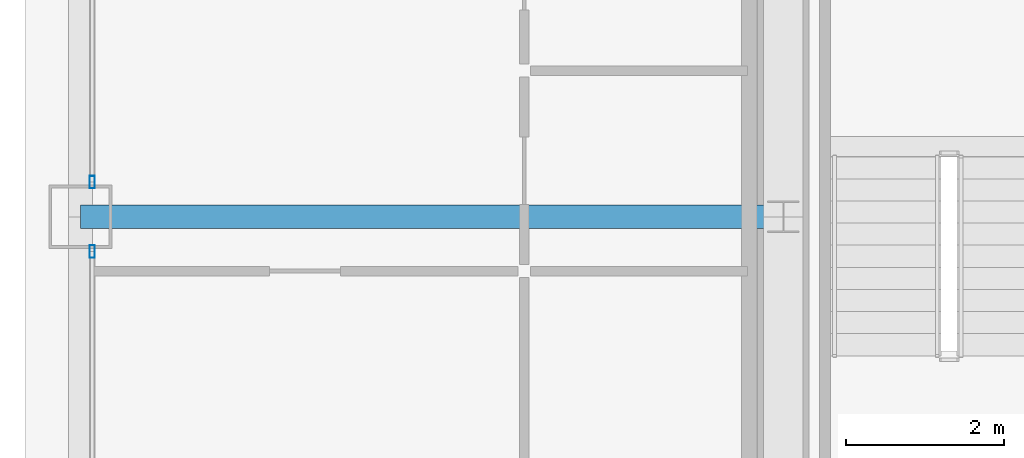
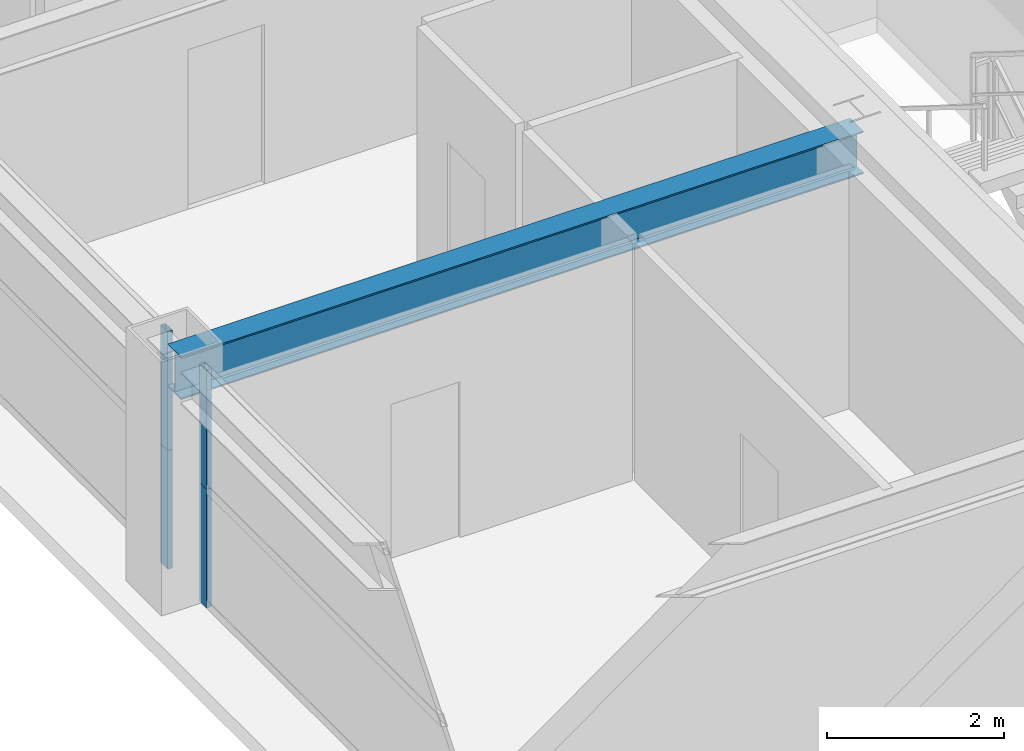
# One storey, part 13 of 42: 4 members, 1 beam, 2 elements without a shape of their own.
"""IFC4 building model written with IfcOpenShell, lengths in metres."""

import ifcopenshell
import ifcopenshell.guid

model = None  # the IFC model being written
_history = None  # IfcOwnerHistory: only IFC2X3 demands one
_inside = {}  # id of a spatial element -> (the spatial element, [elements in it])
_under = {}  # id of a project, library or spatial element -> (it, [spatial elements below it])
_declared = {}  # id of a project -> (the project, [libraries it declares])
_typed = {}  # id of a type object -> (the type object, [elements of that type])
_made_of = {}  # id of a material, layer set ... -> (it, [elements and type objects made of it])


def new_model(schema):
    """Start an empty IFC model of exactly this schema.

    Asked for "IFC4X3", IfcOpenShell would pick the latest addendum, in which some entities
    have other attributes; the version numbers below select the first issue.
    IFC2X3 requires an IfcOwnerHistory on every rooted entity: one is made here for all.
    """
    global model, _history
    if schema == "IFC4X3":
        model = ifcopenshell.file(schema_version=(4, 3, 0, 0))
    else:
        model = ifcopenshell.file(schema=schema)
    _inside.clear()
    _under.clear()
    _declared.clear()
    _typed.clear()
    _made_of.clear()
    _history = None
    if model.schema == "IFC2X3":
        org = make("IfcOrganization", Name="unknown")
        user = make(
            "IfcPersonAndOrganization",
            ThePerson=make("IfcPerson", FamilyName="unknown"),
            TheOrganization=org,
        )
        app = make(
            "IfcApplication",
            ApplicationDeveloper=org,
            Version="unknown",
            ApplicationFullName="unknown",
            ApplicationIdentifier="unknown",
        )
        _history = make(
            "IfcOwnerHistory",
            OwningUser=user,
            OwningApplication=app,
            ChangeAction="ADDED",
            CreationDate=0,
        )
    return model


def make(cls, **values):
    """One entity of the class cls with the attributes given. An attribute that is None is left unset."""
    return model.create_entity(
        cls, **{name: value for name, value in values.items() if value is not None}
    )


def rooted(cls, **values):
    """An entity with a GlobalId (a new one), such as an element, a storey or a relation."""
    return make(cls, GlobalId=ifcopenshell.guid.new(), OwnerHistory=_history, **values)


def si_unit(unit_type, name, prefix=None):
    """IfcSIUnit, for example si_unit("LENGTHUNIT", "METRE", prefix="MILLI")."""
    return make("IfcSIUnit", UnitType=unit_type, Prefix=prefix, Name=name)


def assignment(units):
    """IfcUnitAssignment: the units of a project."""
    return None if units is None else make("IfcUnitAssignment", Units=units)


def point(xyz):
    """IfcCartesianPoint."""
    return None if xyz is None else make("IfcCartesianPoint", Coordinates=xyz)


def direction(xyz):
    """IfcDirection."""
    return None if xyz is None else make("IfcDirection", DirectionRatios=xyz)


def frame(location, z_axis=None, x_axis=None):
    """IfcAxis2Placement3D, a coordinate frame: its origin and axes. An axis left out is left unset."""
    return make(
        "IfcAxis2Placement3D",
        Location=point(location),
        Axis=direction(z_axis),
        RefDirection=direction(x_axis),
    )


def frame_2d(location, x_axis=None):
    """IfcAxis2Placement2D, a coordinate frame in the plane: its origin and x axis."""
    return make(
        "IfcAxis2Placement2D", Location=point(location), RefDirection=direction(x_axis)
    )


def origin():
    """The frame at (0, 0, 0) with its axes left unset."""
    return frame((0.0, 0.0, 0.0))


def origin_2d():
    """The frame at (0, 0) in the plane with its x axis left unset."""
    return frame_2d((0.0, 0.0))


def place(relative_to, where):
    """IfcLocalPlacement: puts the frame where relative to a parent placement (None: the world)."""
    return make(
        "IfcLocalPlacement", PlacementRelTo=relative_to, RelativePlacement=where
    )


def context(
    kind, dimensions, precision=None, world=None, true_north=None, identifier=None
):
    """IfcGeometricRepresentationContext, for example the 3D "Model" context."""
    return make(
        "IfcGeometricRepresentationContext",
        ContextIdentifier=identifier,
        ContextType=kind,
        CoordinateSpaceDimension=dimensions,
        Precision=precision,
        WorldCoordinateSystem=world,
        TrueNorth=true_north,
    )


def subcontext(parent, identifier, kind, view, scale=None):
    """IfcGeometricRepresentationSubContext, for example "Body" below "Model"."""
    return make(
        "IfcGeometricRepresentationSubContext",
        ContextIdentifier=identifier,
        ContextType=kind,
        ParentContext=parent,
        TargetScale=scale,
        TargetView=view,
    )


def project(units=None, contexts=None):
    """IfcProject with its units and contexts."""
    return rooted(
        "IfcProject",
        Name="project",
        RepresentationContexts=contexts,
        UnitsInContext=assignment(units),
    )


def spatial(cls, under=None, at=None, **own):
    """A site, building, storey or space (cls), placed at a placement, below another one or the project."""
    s = rooted(cls, ObjectPlacement=at, **own)
    if under is not None:
        _under.setdefault(under.id(), (under, []))[1].append(s)
    return s


def profile(cls, at=None, kind="AREA", **sizes):
    """A parametric profile (cls). Its sizes go by their IFC names, for example OverallWidth=200.0."""
    return make(cls, ProfileType=kind, Position=at, **sizes)


def hollow_rectangle(**sizes):
    """IfcRectangleHollowProfileDef."""
    return profile("IfcRectangleHollowProfileDef", **sizes)


def i_section(**sizes):
    """IfcIShapeProfileDef."""
    return profile("IfcIShapeProfileDef", **sizes)


def extrude(swept, where, along, depth):
    """IfcExtrudedAreaSolid: the profile swept, set in the frame where, extruded along a direction by depth."""
    return make(
        "IfcExtrudedAreaSolid",
        SweptArea=swept,
        Position=where,
        ExtrudedDirection=direction(along),
        Depth=depth,
    )


def shape(context_of_items, identifier, shape_type, items):
    """IfcShapeRepresentation: the items that make up one representation, for example the "Body"."""
    return make(
        "IfcShapeRepresentation",
        ContextOfItems=context_of_items,
        RepresentationIdentifier=identifier,
        RepresentationType=shape_type,
        Items=items,
    )


def source(mapping_origin, context_of_items, identifier, shape_type, items):
    """IfcRepresentationMap: a shape defined once, which mapped items show again and again."""
    return make(
        "IfcRepresentationMap",
        MappingOrigin=mapping_origin,
        MappedRepresentation=shape(context_of_items, identifier, shape_type, items),
    )


def transform(
    local_origin,
    x_axis=None,
    y_axis=None,
    z_axis=None,
    scale=None,
    scale2=None,
    scale3=None,
    uniform=True,
):
    """IfcCartesianTransformationOperator3D, or its non-uniform kind. x_axis, y_axis, z_axis: its Axis1, 2, 3."""
    if uniform:
        return make(
            "IfcCartesianTransformationOperator3D",
            Axis1=direction(x_axis),
            Axis2=direction(y_axis),
            LocalOrigin=point(local_origin),
            Scale=scale,
            Axis3=direction(z_axis),
        )
    return make(
        "IfcCartesianTransformationOperator3DnonUniform",
        Axis1=direction(x_axis),
        Axis2=direction(y_axis),
        LocalOrigin=point(local_origin),
        Scale=scale,
        Axis3=direction(z_axis),
        Scale2=scale2,
        Scale3=scale3,
    )


def mapped(mapping_source, mapping_target):
    """IfcMappedItem: shows the shape of a source again, moved by a transform."""
    return make(
        "IfcMappedItem", MappingSource=mapping_source, MappingTarget=mapping_target
    )


def material(Name=None, Category=None):
    """IfcMaterial."""
    return make("IfcMaterial", Name=Name, Category=Category)


def layer(
    of_material, thickness, ventilated=None, Name=None, Category=None, Priority=None
):
    """IfcMaterialLayer: one layer of a wall or slab, of a material (None: an air gap)."""
    return make(
        "IfcMaterialLayer",
        Material=of_material,
        LayerThickness=thickness,
        IsVentilated=ventilated,
        Name=Name,
        Category=Category,
        Priority=Priority,
    )


def layer_set(layers, Name=None):
    """IfcMaterialLayerSet."""
    return make("IfcMaterialLayerSet", MaterialLayers=layers, LayerSetName=Name)


def material_profile(
    of_material, cross_section, Name=None, Category=None, Priority=None
):
    """IfcMaterialProfile: a cross section and its material."""
    return make(
        "IfcMaterialProfile",
        Name=Name,
        Material=of_material,
        Profile=cross_section,
        Priority=Priority,
        Category=Category,
    )


def profile_set(profiles, Name=None, composite=None):
    """IfcMaterialProfileSet."""
    return make(
        "IfcMaterialProfileSet",
        Name=Name,
        MaterialProfiles=profiles,
        CompositeProfile=composite,
    )


def made_of(thing, what):
    """Note that an element or type object is made of a material, layer set ...; save() writes the relation."""
    if what is not None:
        _made_of.setdefault(what.id(), (what, []))[1].append(thing)
    return thing


def type_object(cls, material=None, **own):
    """A type object (cls), such as IfcWallType, which elements share."""
    return made_of(rooted(cls, **own), material)


def element(
    cls,
    number,
    at=None,
    inside=None,
    cuts=None,
    type_object=None,
    material=None,
    context=None,
    identifier="Body",
    shape_type=None,
    held_by="IfcProductDefinitionShape",
    body=None,
    shapes=None,
    **own,
):
    """One element of the class cls, such as IfcWall. Its Tag is "e" and its number.

    at: its placement. inside: the storey or other place that contains it. cuts: it is an
    opening in that element (IfcRelVoidsElement). A single representation is given by context,
    identifier, shape_type and body (its items); several are given by shapes. held_by: the class
    of the entity that holds the representations. save() writes the other relations.
    """
    e = rooted(cls, Tag="e%d" % number, ObjectPlacement=at, **own)
    if body is not None:
        shapes = [shape(context, identifier, shape_type, body)]
    if shapes is not None:
        e.Representation = make(held_by, Representations=shapes)
    if inside is not None:
        _inside.setdefault(inside.id(), (inside, []))[1].append(e)
    if cuts is not None:
        rooted(
            "IfcRelVoidsElement", RelatingBuildingElement=cuts, RelatedOpeningElement=e
        )
    if type_object is not None:
        _typed.setdefault(type_object.id(), (type_object, []))[1].append(e)
    return made_of(e, material)


def aggregate(whole, parts):
    """IfcRelAggregates: a whole, such as a stair, and the parts it consists of."""
    return rooted("IfcRelAggregates", RelatingObject=whole, RelatedObjects=parts)


def save(model, path):
    """Write the relations noted so far, then the file.

    IfcRelAggregates (storeys below a building ...), IfcRelContainedInSpatialStructure (elements
    in a storey), IfcRelDefinesByType, IfcRelAssociatesMaterial and IfcRelDeclares: one each for
    every whole, place, type object, material and project.
    """
    for whole, parts in _under.values():
        aggregate(whole, parts)
    for where, things in _inside.values():
        rooted(
            "IfcRelContainedInSpatialStructure",
            RelatedElements=things,
            RelatingStructure=where,
        )
    for kind, things in _typed.values():
        rooted("IfcRelDefinesByType", RelatedObjects=things, RelatingType=kind)
    for what, things in _made_of.values():
        rooted("IfcRelAssociatesMaterial", RelatedObjects=things, RelatingMaterial=what)
    for by, libraries in _declared.values():
        rooted("IfcRelDeclares", RelatingContext=by, RelatedDefinitions=libraries)
    model.write(path)


model = new_model("IFC4")

# Units and contexts
model_context = context("Model", 3, precision=1e-05, world=origin(), true_north=direction((0.0, 1.0)))
body_context = subcontext(model_context, "Body", "Model", "MODEL_VIEW")
ifc_project = project(units=[si_unit("LENGTHUNIT", "METRE"), si_unit("AREAUNIT", "SQUARE_METRE"), si_unit("VOLUMEUNIT", "CUBIC_METRE"), si_unit("PLANEANGLEUNIT", "RADIAN"), si_unit("MASSUNIT", "GRAM", prefix="KILO"), si_unit("THERMODYNAMICTEMPERATUREUNIT", "KELVIN"), si_unit("POWERUNIT", "WATT")], contexts=[model_context])

# Site, building, storey
site_placement = place(None, origin())
site = spatial("IfcSite", under=ifc_project, at=site_placement, CompositionType="ELEMENT")
building_placement = place(site_placement, origin())
building = spatial("IfcBuilding", under=site, at=building_placement, Name="Yuzanri Waterfront Tower", CompositionType="ELEMENT")
storey_placement = place(building_placement, frame((0.0, 0.0, 184.5)))
storey = spatial("IfcBuildingStorey", under=building, at=storey_placement, Name="L48", CompositionType="ELEMENT", Elevation=184.5)

# Beam
ifc_material_1 = material(Name="Steel Q355B", Category="steel")
ifc_material_profile_1 = material_profile(ifc_material_1, i_section(OverallWidth=0.300048828125, OverallDepth=0.587890625, WebThickness=0.011962890625, FlangeThickness=0.02001953125, at=origin_2d()), Name="HM 588x300x12x20")
ifc_profile_set_1 = profile_set([ifc_material_profile_1], Name="Steel Q355B")
beam_type = type_object("IfcBeamType", Name="Primary Floor Girder Q355B HM 588x300", PredefinedType="BEAM", material=ifc_profile_set_1)
shared_shape_1 = source(origin(), body_context, "Body", "SweptSolid", [
    extrude(i_section(OverallWidth=0.300048828125, OverallDepth=0.587890625, WebThickness=0.011962890625, FlangeThickness=0.02001953125, at=origin_2d()), origin(), (0.0, 0.0, 1.0), 8.900146484375),
])
beam_placement = place(storey_placement, frame((23.800048828125, 25.800048828125, 2.986083984375), z_axis=(-1.0, 0.0, 0.0), x_axis=(0.0, -1.0, 0.0)))
element("IfcBeam", 1, at=beam_placement, inside=storey, type_object=beam_type, Name="L48 West Grid Girder", PredefinedType="BEAM", context=body_context, shape_type="MappedRepresentation", body=[
    mapped(shared_shape_1, transform((0.0, 0.0, 0.0), scale=1.0)),
])

# Curtain wall, members
ifc_material_2 = material(Name="Anodized Architectural Bronze", Category="metal")
ifc_layer = layer(ifc_material_2, 0.159912109375)
ifc_layer_set = layer_set([ifc_layer], Name="Anodized Architectural Bronze")
curtain_wall_type = type_object("IfcCurtainWallType", Name="Anodized Bronze Mid-Rise Residential Acoustic Unitized Curtain Wall 7200", PredefinedType="NOTDEFINED", material=ifc_layer_set)
curtain_wall_1_placement = place(storey_placement, origin())
curtain_wall_1 = element("IfcCurtainWall", 2, at=curtain_wall_1_placement, inside=storey, type_object=curtain_wall_type, Name="L48 Curtain Wall CW-L48-WL", PredefinedType="NOTDEFINED")
ifc_material_3 = material(Name="Anodized Architectural Bronze", Category="metal")
ifc_material_profile_2 = material_profile(ifc_material_3, hollow_rectangle(XDim=0.06494140625, YDim=0.159912109375, WallThickness=0.00341796875, at=origin_2d()), Name="CWM 65x160")
ifc_profile_set_2 = profile_set([ifc_material_profile_2], Name="Anodized Architectural Bronze")
member_type = type_object("IfcMemberType", Name="Anodized Bronze Upper-Zone Curtain-Wall Mullion 65x160", PredefinedType="MULLION", material=ifc_profile_set_2)
shared_shape_2 = source(origin(), body_context, "Body", "SweptSolid", [
    extrude(hollow_rectangle(XDim=0.06494140625, YDim=0.159912109375, WallThickness=0.00341796875, at=origin_2d()), origin(), (0.0, 0.0, 1.0), 1.637939453125),
])
member_1_placement = place(storey_placement, frame((15.050048828125, 25.360107421875, 0.0), z_axis=(0.0, 0.0, 1.0), x_axis=(1.0, 0.0, 0.0)))
member_1 = element("IfcMember", 3, at=member_1_placement, type_object=member_type, Name="CW-L48-WL Lower Mullion 02", PredefinedType="MULLION", context=body_context, shape_type="MappedRepresentation", body=[
    mapped(shared_shape_2, transform((0.0, 0.0, 0.0), scale=1.0)),
])
member_2_placement = place(storey_placement, frame((15.050048828125, 25.360107421875, 1.64208984375), z_axis=(0.0, 0.0, 1.0), x_axis=(1.0, 0.0, 0.0)))
member_2 = element("IfcMember", 4, at=member_2_placement, type_object=member_type, Name="CW-L48-WL Upper Mullion 02", PredefinedType="MULLION", context=body_context, shape_type="MappedRepresentation", body=[
    mapped(shared_shape_2, transform((0.0, 0.0, 0.0), scale=1.0)),
])
aggregate(curtain_wall_1, [member_1, member_2])

curtain_wall_2_placement = place(storey_placement, origin())
curtain_wall_2 = element("IfcCurtainWall", 5, at=curtain_wall_2_placement, inside=storey, type_object=curtain_wall_type, Name="L48 Curtain Wall CW-L48-WR", PredefinedType="NOTDEFINED")
member_3_placement = place(storey_placement, frame((15.050048828125, 26.239990234375, 0.0), z_axis=(0.0, 0.0, 1.0), x_axis=(1.0, 0.0, 0.0)))
member_3 = element("IfcMember", 6, at=member_3_placement, type_object=member_type, Name="CW-L48-WR Lower Mullion 00", PredefinedType="MULLION", context=body_context, shape_type="MappedRepresentation", body=[
    mapped(shared_shape_2, transform((0.0, 0.0, 0.0), scale=1.0)),
])
member_4_placement = place(storey_placement, frame((15.050048828125, 26.239990234375, 1.64208984375), z_axis=(0.0, 0.0, 1.0), x_axis=(1.0, 0.0, 0.0)))
member_4 = element("IfcMember", 7, at=member_4_placement, type_object=member_type, Name="CW-L48-WR Upper Mullion 00", PredefinedType="MULLION", context=body_context, shape_type="MappedRepresentation", body=[
    mapped(shared_shape_2, transform((0.0, 0.0, 0.0), scale=1.0)),
])
aggregate(curtain_wall_2, [member_3, member_4])

save(model, "model.ifc")
